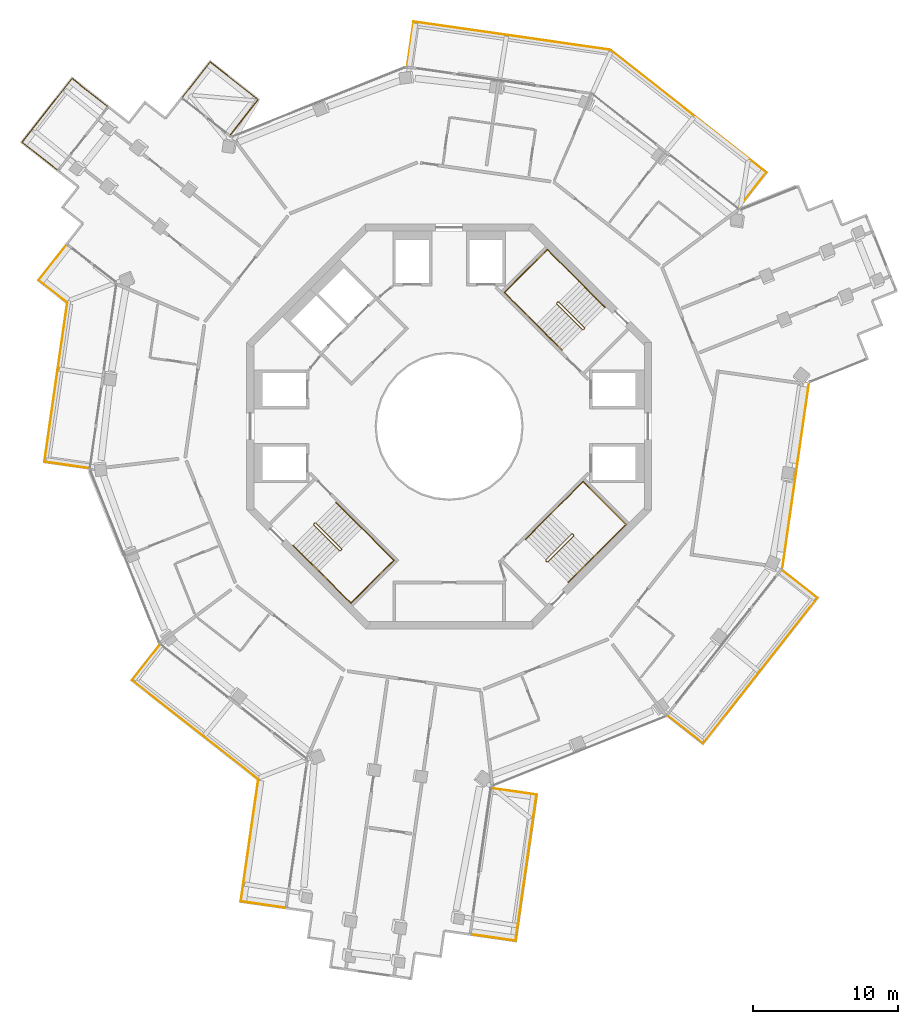
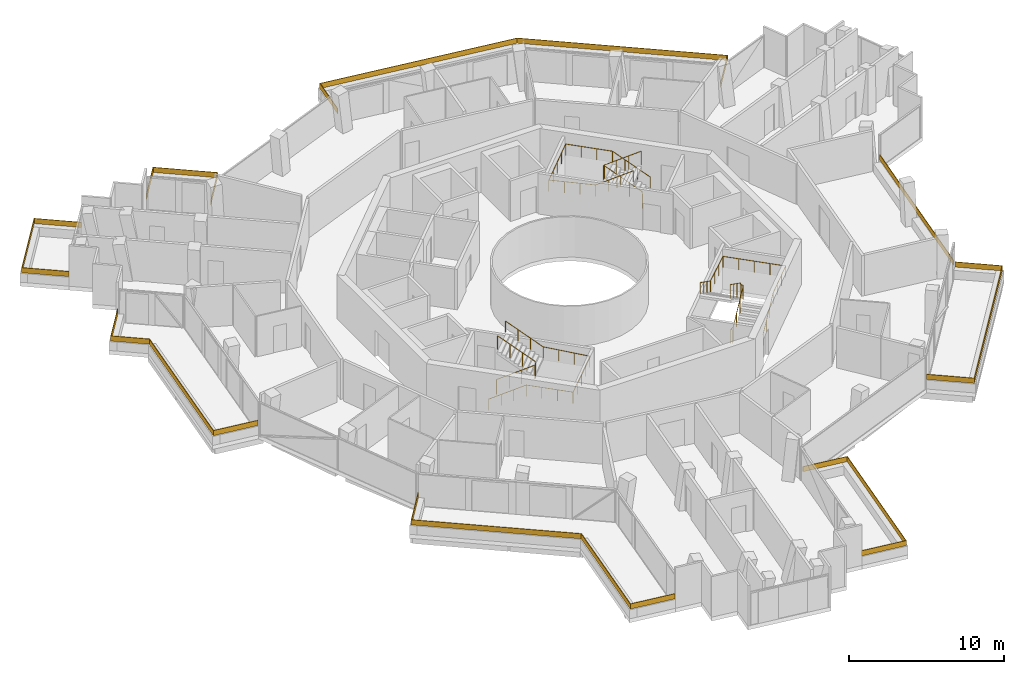
# One storey, part 23 of 23: 14 railings.
"""IFC4 building model written with IfcOpenShell, lengths in metres."""

from ifc_helpers import new_model, si_unit, direction, frame, origin, origin_2d, place, context, subcontext, project, spatial, polyline, rectangle, circle, outline, extrude, material, layer, layer_set, type_object, element, save


model = new_model("IFC4")

# Units and contexts
model_context = context("Model", 3, precision=1e-05, world=origin(), true_north=direction((0.0, 1.0)))
body_context = subcontext(model_context, "Body", "Model", "MODEL_VIEW")
ifc_project = project(units=[si_unit("LENGTHUNIT", "METRE"), si_unit("AREAUNIT", "SQUARE_METRE"), si_unit("VOLUMEUNIT", "CUBIC_METRE"), si_unit("PLANEANGLEUNIT", "RADIAN"), si_unit("MASSUNIT", "GRAM", prefix="KILO")], contexts=[model_context])

# Site, building, storey
site_placement = place(None, origin())
site = spatial("IfcSite", under=ifc_project, at=site_placement, CompositionType="ELEMENT")
building_placement = place(site_placement, origin())
building = spatial("IfcBuilding", under=site, at=building_placement, Name="Verdalira Terraces Hotel", CompositionType="ELEMENT")
storey_placement = place(building_placement, frame((0.0, 0.0, 244.5)))
storey = spatial("IfcBuildingStorey", under=building, at=storey_placement, Name="L60", CompositionType="ELEMENT", Elevation=244.5)

# Railings
ifc_material_1 = material(Name="Laminated glass", Category="glass")
ifc_layer = layer(ifc_material_1, 0.0400390625)
ifc_layer_set = layer_set([ifc_layer], Name="Balcony glass guard 400")
railing_type_1 = type_object("IfcRailingType", Name="Balcony glass guard 400", PredefinedType="GUARDRAIL", material=ifc_layer_set)
railing_1_placement = place(storey_placement, frame((0.0, 0.0, 0.699951)))
element("IfcRailing", 1, at=railing_1_placement, inside=storey, type_object=railing_type_1, Name="Balcony glass guard", PredefinedType="GUARDRAIL", context=body_context, shape_type="SweptSolid", body=[
    extrude(outline(polyline([(-26.076904, 24.026611), (-29.512207, 19.655029), (-27.091309, 17.752686), (-27.115967, 17.721191), (-29.568359, 19.648193), (-26.08374, 24.082764), (-23.631348, 22.155762), (-23.656006, 22.124268), (-26.076904, 24.026611)])), origin(), (0.0, 0.0, 1.0), 0.400146),
])
railing_2_placement = place(storey_placement, frame((0.0, 0.0, 0.699951)))
element("IfcRailing", 2, at=railing_2_placement, inside=storey, type_object=railing_type_1, Name="Balcony glass guard", PredefinedType="GUARDRAIL", context=body_context, shape_type="SweptSolid", body=[
    extrude(outline(polyline([(-28.366943, 10.106689), (-26.391357, 8.554199), (-27.967041, -2.435059), (-24.919189, -2.87207), (-24.925049, -2.911621), (-28.012451, -2.468994), (-26.434326, 8.537109), (-28.423096, 10.100098), (-26.496094, 12.55249), (-26.4646, 12.527832), (-28.366943, 10.106689)])), origin(), (0.0, 0.0, 1.0), 0.400146),
])
railing_3_placement = place(storey_placement, frame((0.0, 0.0, 0.699951)))
element("IfcRailing", 3, at=railing_3_placement, inside=storey, type_object=railing_type_1, Name="Balcony glass guard", PredefinedType="GUARDRAIL", context=body_context, shape_type="SweptSolid", body=[
    extrude(outline(polyline([(-21.907715, -17.553955), (-13.178467, -24.413086), (-14.386963, -32.8396), (-11.339111, -33.276611), (-11.344727, -33.316162), (-14.432129, -32.873535), (-13.221436, -24.43042), (-21.963867, -17.560547), (-20.036865, -15.108154), (-20.005371, -15.132812), (-21.907715, -17.553955)])), origin(), (0.0, 0.0, 1.0), 0.400146),
])
railing_4_placement = place(storey_placement, frame((0.0, 0.0, 0.699951)))
element("IfcRailing", 4, at=railing_4_placement, inside=storey, type_object=railing_type_1, Name="Balcony glass guard", PredefinedType="GUARDRAIL", context=body_context, shape_type="SweptSolid", body=[
    extrude(outline(polyline([(4.579102, -35.559082), (6.022705, -25.491211), (2.974854, -25.054199), (2.980713, -25.014648), (6.068115, -25.457275), (4.613037, -35.604492), (1.525635, -35.161621), (1.53125, -35.12207), (4.579102, -35.559082)])), origin(), (0.0, 0.0, 1.0), 0.400146),
])
railing_5_placement = place(storey_placement, frame((0.0, 0.0, 0.699951)))
element("IfcRailing", 5, at=railing_5_placement, inside=storey, type_object=railing_type_1, Name="Balcony glass guard", PredefinedType="GUARDRAIL", context=body_context, shape_type="SweptSolid", body=[
    extrude(outline(polyline([(17.553955, -21.907715), (25.437744, -11.874756), (23.016846, -9.972412), (23.041504, -9.940918), (25.493896, -11.86792), (17.560547, -21.963867), (15.108154, -20.036865), (15.132812, -20.005371), (17.553955, -21.907715)])), origin(), (0.0, 0.0, 1.0), 0.400146),
])
railing_6_placement = place(storey_placement, frame((0.0, 0.0, 0.699951)))
element("IfcRailing", 6, at=railing_6_placement, inside=storey, type_object=railing_type_1, Name="Balcony glass guard", PredefinedType="GUARDRAIL", context=body_context, shape_type="SweptSolid", body=[
    extrude(outline(polyline([(21.907715, 17.553955), (11.131348, 26.021729), (-2.435059, 27.967041), (-2.87207, 24.919189), (-2.911621, 24.925049), (-2.468994, 28.012451), (11.147705, 26.059814), (21.963867, 17.560547), (20.036865, 15.108154), (20.005371, 15.132812), (21.907715, 17.553955)])), origin(), (0.0, 0.0, 1.0), 0.400146),
])
railing_7_placement = place(storey_placement, frame((0.0, 0.0, 0.699951)))
element("IfcRailing", 7, at=railing_7_placement, inside=storey, type_object=railing_type_1, Name="Balcony glass guard", PredefinedType="GUARDRAIL", context=body_context, shape_type="SweptSolid", body=[
    extrude(outline(polyline([(-13.249268, 22.594971), (-16.528809, 25.172119), (-18.431152, 22.750977), (-18.462646, 22.775879), (-16.535645, 25.228271), (-13.193115, 22.601807), (-15.120361, 20.149414), (-15.151611, 20.174072), (-13.249268, 22.594971)])), origin(), (0.0, 0.0, 1.0), 0.400146),
])
railing_8_placement = place(storey_placement, frame((23.963135, -3.436035, 0.699951), z_axis=(0.0, 0.0, 1.0), x_axis=(0.141937905, 0.989875563, 0.0)))
element("IfcRailing", 8, at=railing_8_placement, inside=storey, type_object=railing_type_1, Name="Loggia glass guard", PredefinedType="GUARDRAIL", context=body_context, shape_type="SweptSolid", body=[
    extrude(rectangle(XDim=12.840088, YDim=0.040039, at=origin_2d()), origin(), (0.0, 0.0, 1.0), 0.399902),
])
ifc_material_2 = material(Name="Stainless steel", Category="steel")
railing_type_2 = type_object("IfcRailingType", Name="Stair guard 1100", PredefinedType="GUARDRAIL", material=ifc_material_2)
railing_9_placement = place(storey_placement, frame((9.369141, 6.75293, 0.0)))
element("IfcRailing", 9, at=railing_9_placement, inside=storey, type_object=railing_type_2, Name="L60 ST1 stair guard 1", PredefinedType="GUARDRAIL", context=body_context, shape_type="SweptSolid", body=[
    extrude(circle(Radius=0.023926, at=origin_2d()), frame((0.0, 0.0, 1.076172), z_axis=(-0.707106781, -0.707106781, 0.0), x_axis=(0.707106781, -0.707106781, 0.0)), (0.0, 0.0, 1.0), 0.100098),
    extrude(circle(Radius=0.023926, at=origin_2d()), frame((-0.070801, -0.070801, 1.076172), z_axis=(0.300162975, 0.599290904, 0.742127078), x_axis=(-0.894118129, 0.447831187, 0.0)), (0.0, 0.0, 1.0), 0.23584),
    extrude(circle(Radius=0.023926, at=origin_2d()), frame((0.0, 0.070557, 1.250977), z_axis=(-0.599637504, 0.599637504, 0.52997144), x_axis=(-0.707106781, -0.707106781, 0.0)), (0.0, 0.0, 1.0), 2.97168),
    extrude(circle(Radius=0.023926, at=origin_2d()), frame((-1.781982, 1.852539, 2.826172), z_axis=(-1.0, 0.0, 0.0), x_axis=(0.0, -1.0, 0.0)), (0.0, 0.0, 1.0), 0.070557),
    extrude(circle(Radius=0.023926, at=origin_2d()), frame((-1.852539, 1.852539, 2.826172), z_axis=(-0.707106781, -0.707106781, 0.0), x_axis=(0.707106781, -0.707106781, 0.0)), (0.0, 0.0, 1.0), 0.100098),
    extrude(circle(Radius=0.023926, at=origin_2d()), frame((-1.92334, 1.781738, 2.826172), z_axis=(0.0, -0.373842709, 0.927492118), x_axis=(1.0, 0.0, 0.0)), (0.0, 0.0, 1.0), 0.188721),
    extrude(circle(Radius=0.023926, at=origin_2d()), frame((-1.92334, 1.711182, 3.000977), z_axis=(0.599637504, -0.599637504, 0.52997144), x_axis=(0.707106781, 0.707106781, 0.0)), (0.0, 0.0, 1.0), 2.97168),
    extrude(circle(Radius=0.020996, at=origin_2d()), origin(), (0.0, 0.0, 1.0), 1.052002),
    extrude(circle(Radius=0.020996, at=origin_2d()), frame((-0.070801, -0.070801, 0.0)), (0.0, 0.0, 1.0), 1.052002),
    extrude(circle(Radius=0.020996, at=origin_2d()), frame((0.0, 0.070557, 0.175049)), (0.0, 0.0, 1.0), 1.052002),
    extrude(circle(Radius=0.020996, at=origin_2d()), frame((-0.593994, 0.664551, 0.699951)), (0.0, 0.0, 1.0), 1.052002),
    extrude(circle(Radius=0.020996, at=origin_2d()), frame((-1.187988, 1.258545, 1.225098)), (0.0, 0.0, 1.0), 1.052002),
    extrude(circle(Radius=0.020996, at=origin_2d()), frame((-1.781982, 1.852539, 1.75)), (0.0, 0.0, 1.0), 1.052002),
    extrude(circle(Radius=0.020996, at=origin_2d()), frame((-1.852539, 1.852539, 1.75)), (0.0, 0.0, 1.0), 1.052002),
    extrude(circle(Radius=0.020996, at=origin_2d()), frame((-1.92334, 1.781738, 1.75)), (0.0, 0.0, 1.0), 1.052002),
    extrude(circle(Radius=0.020996, at=origin_2d()), frame((-1.92334, 1.711182, 1.925049)), (0.0, 0.0, 1.0), 1.052002),
    extrude(circle(Radius=0.020996, at=origin_2d()), frame((-1.329346, 1.117188, 2.449951)), (0.0, 0.0, 1.0), 1.052002),
    extrude(circle(Radius=0.020996, at=origin_2d()), frame((-0.735352, 0.523193, 2.975098)), (0.0, 0.0, 1.0), 1.052002),
    extrude(circle(Radius=0.020996, at=origin_2d()), frame((-0.141357, -0.070801, 3.5)), (0.0, 0.0, 1.0), 1.052002),
])
railing_10_placement = place(storey_placement, frame((-9.369141, -6.75293, 0.0)))
element("IfcRailing", 10, at=railing_10_placement, inside=storey, type_object=railing_type_2, Name="L60 ST2 stair guard 1", PredefinedType="GUARDRAIL", context=body_context, shape_type="SweptSolid", body=[
    extrude(circle(Radius=0.023926, at=origin_2d()), frame((0.0, 0.0, 1.076172), z_axis=(0.707106781, 0.707106781, 0.0), x_axis=(-0.707106781, 0.707106781, 0.0)), (0.0, 0.0, 1.0), 0.100098),
    extrude(circle(Radius=0.023926, at=origin_2d()), frame((0.070801, 0.070801, 1.076172), z_axis=(-0.300162975, -0.599290904, 0.742127078), x_axis=(0.894118129, -0.447831187, 0.0)), (0.0, 0.0, 1.0), 0.23584),
    extrude(circle(Radius=0.023926, at=origin_2d()), frame((0.0, -0.070557, 1.250977), z_axis=(0.599637504, -0.599637504, 0.52997144), x_axis=(0.707106781, 0.707106781, 0.0)), (0.0, 0.0, 1.0), 2.97168),
    extrude(circle(Radius=0.023926, at=origin_2d()), frame((1.781982, -1.852539, 2.826172), z_axis=(1.0, 0.0, 0.0), x_axis=(0.0, 1.0, 0.0)), (0.0, 0.0, 1.0), 0.070557),
    extrude(circle(Radius=0.023926, at=origin_2d()), frame((1.852539, -1.852539, 2.826172), z_axis=(0.707106781, 0.707106781, 0.0), x_axis=(-0.707106781, 0.707106781, 0.0)), (0.0, 0.0, 1.0), 0.100098),
    extrude(circle(Radius=0.023926, at=origin_2d()), frame((1.92334, -1.781738, 2.826172), z_axis=(0.0, 0.373842709, 0.927492118), x_axis=(-1.0, 0.0, 0.0)), (0.0, 0.0, 1.0), 0.188721),
    extrude(circle(Radius=0.023926, at=origin_2d()), frame((1.92334, -1.711182, 3.000977), z_axis=(-0.599637504, 0.599637504, 0.52997144), x_axis=(-0.707106781, -0.707106781, 0.0)), (0.0, 0.0, 1.0), 2.97168),
    extrude(circle(Radius=0.020996, at=origin_2d()), origin(), (0.0, 0.0, 1.0), 1.052002),
    extrude(circle(Radius=0.020996, at=origin_2d()), frame((0.070801, 0.070801, 0.0)), (0.0, 0.0, 1.0), 1.052002),
    extrude(circle(Radius=0.020996, at=origin_2d()), frame((0.0, -0.070557, 0.175049)), (0.0, 0.0, 1.0), 1.052002),
    extrude(circle(Radius=0.020996, at=origin_2d()), frame((0.593994, -0.664551, 0.699951)), (0.0, 0.0, 1.0), 1.052002),
    extrude(circle(Radius=0.020996, at=origin_2d()), frame((1.187988, -1.258545, 1.225098)), (0.0, 0.0, 1.0), 1.052002),
    extrude(circle(Radius=0.020996, at=origin_2d()), frame((1.781982, -1.852539, 1.75)), (0.0, 0.0, 1.0), 1.052002),
    extrude(circle(Radius=0.020996, at=origin_2d()), frame((1.852539, -1.852539, 1.75)), (0.0, 0.0, 1.0), 1.052002),
    extrude(circle(Radius=0.020996, at=origin_2d()), frame((1.92334, -1.781738, 1.75)), (0.0, 0.0, 1.0), 1.052002),
    extrude(circle(Radius=0.020996, at=origin_2d()), frame((1.92334, -1.711182, 1.925049)), (0.0, 0.0, 1.0), 1.052002),
    extrude(circle(Radius=0.020996, at=origin_2d()), frame((1.329346, -1.117188, 2.449951)), (0.0, 0.0, 1.0), 1.052002),
    extrude(circle(Radius=0.020996, at=origin_2d()), frame((0.735352, -0.523193, 2.975098)), (0.0, 0.0, 1.0), 1.052002),
    extrude(circle(Radius=0.020996, at=origin_2d()), frame((0.141357, 0.070801, 3.5)), (0.0, 0.0, 1.0), 1.052002),
])
railing_11_placement = place(storey_placement, frame((6.75293, -9.369141, 0.0)))
element("IfcRailing", 11, at=railing_11_placement, inside=storey, type_object=railing_type_2, Name="L60 ST3 stair guard 1", PredefinedType="GUARDRAIL", context=body_context, shape_type="SweptSolid", body=[
    extrude(circle(Radius=0.023926, at=origin_2d()), frame((0.0, 0.0, 1.076172), z_axis=(-0.707106781, 0.707106781, 0.0), x_axis=(-0.707106781, -0.707106781, 0.0)), (0.0, 0.0, 1.0), 0.100098),
    extrude(circle(Radius=0.023926, at=origin_2d()), frame((-0.070801, 0.070801, 1.076172), z_axis=(0.599290904, -0.300162975, 0.742127078), x_axis=(0.447831187, 0.894118129, 0.0)), (0.0, 0.0, 1.0), 0.23584),
    extrude(circle(Radius=0.023926, at=origin_2d()), frame((0.070557, 0.0, 1.250977), z_axis=(0.599637504, 0.599637504, 0.52997144), x_axis=(-0.707106781, 0.707106781, 0.0)), (0.0, 0.0, 1.0), 2.97168),
    extrude(circle(Radius=0.023926, at=origin_2d()), frame((1.852539, 1.781982, 2.826172), z_axis=(0.0, 1.0, 0.0), x_axis=(-1.0, 0.0, 0.0)), (0.0, 0.0, 1.0), 0.070557),
    extrude(circle(Radius=0.023926, at=origin_2d()), frame((1.852539, 1.852539, 2.826172), z_axis=(-0.707106781, 0.707106781, 0.0), x_axis=(-0.707106781, -0.707106781, 0.0)), (0.0, 0.0, 1.0), 0.100098),
    extrude(circle(Radius=0.023926, at=origin_2d()), frame((1.781738, 1.92334, 2.826172), z_axis=(-0.373842709, 0.0, 0.927492118), x_axis=(0.0, -1.0, 0.0)), (0.0, 0.0, 1.0), 0.188721),
    extrude(circle(Radius=0.023926, at=origin_2d()), frame((1.711182, 1.92334, 3.000977), z_axis=(-0.599637504, -0.599637504, 0.52997144), x_axis=(0.707106781, -0.707106781, 0.0)), (0.0, 0.0, 1.0), 2.97168),
    extrude(circle(Radius=0.020996, at=origin_2d()), origin(), (0.0, 0.0, 1.0), 1.052002),
    extrude(circle(Radius=0.020996, at=origin_2d()), frame((-0.070801, 0.070801, 0.0)), (0.0, 0.0, 1.0), 1.052002),
    extrude(circle(Radius=0.020996, at=origin_2d()), frame((0.070557, 0.0, 0.175049)), (0.0, 0.0, 1.0), 1.052002),
    extrude(circle(Radius=0.020996, at=origin_2d()), frame((0.664551, 0.593994, 0.699951)), (0.0, 0.0, 1.0), 1.052002),
    extrude(circle(Radius=0.020996, at=origin_2d()), frame((1.258545, 1.187988, 1.225098)), (0.0, 0.0, 1.0), 1.052002),
    extrude(circle(Radius=0.020996, at=origin_2d()), frame((1.852539, 1.781982, 1.75)), (0.0, 0.0, 1.0), 1.052002),
    extrude(circle(Radius=0.020996, at=origin_2d()), frame((1.852539, 1.852539, 1.75)), (0.0, 0.0, 1.0), 1.052002),
    extrude(circle(Radius=0.020996, at=origin_2d()), frame((1.781738, 1.92334, 1.75)), (0.0, 0.0, 1.0), 1.052002),
    extrude(circle(Radius=0.020996, at=origin_2d()), frame((1.711182, 1.92334, 1.925049)), (0.0, 0.0, 1.0), 1.052002),
    extrude(circle(Radius=0.020996, at=origin_2d()), frame((1.117188, 1.329346, 2.449951)), (0.0, 0.0, 1.0), 1.052002),
    extrude(circle(Radius=0.020996, at=origin_2d()), frame((0.523193, 0.735352, 2.975098)), (0.0, 0.0, 1.0), 1.052002),
    extrude(circle(Radius=0.020996, at=origin_2d()), frame((-0.070801, 0.141357, 3.5)), (0.0, 0.0, 1.0), 1.052002),
])
ifc_material_3 = material(Name="Stainless steel", Category="steel")
railing_type_3 = type_object("IfcRailingType", Name="Stair handrail 900", PredefinedType="HANDRAIL", material=ifc_material_3)
railing_12_placement = place(storey_placement, frame((10.783447, 8.237793, 0.175049)))
element("IfcRailing", 12, at=railing_12_placement, inside=storey, type_object=railing_type_3, Name="L60 ST1 stair handrail 1", PredefinedType="HANDRAIL", context=body_context, shape_type="SweptSolid", body=[
    extrude(circle(Radius=0.023926, at=origin_2d()), frame((0.0, 0.0, 0.875977), z_axis=(-0.599637504, 0.599637504, 0.52997144), x_axis=(-0.707106781, -0.707106781, 0.0)), (0.0, 0.0, 1.0), 2.97168),
    extrude(circle(Radius=0.023926, at=origin_2d()), frame((-1.781982, 1.781982, 2.450684), z_axis=(-0.707106781, 0.707106781, 0.0), x_axis=(-0.707106781, -0.707106781, 0.0)), (0.0, 0.0, 1.0), 3.129883),
    extrude(circle(Radius=0.023926, at=origin_2d()), frame((-3.995117, 3.995117, 2.450684), z_axis=(-0.707135845, -0.707077716, 0.0), x_axis=(0.707077716, -0.707135845, 0.0)), (0.0, 0.0, 1.0), 4.199951),
    extrude(circle(Radius=0.023926, at=origin_2d()), frame((-6.965088, 1.025391, 2.450684), z_axis=(0.706003682, -0.706003682, 0.0558355), x_axis=(0.707106781, 0.707106781, 0.0)), (0.0, 0.0, 1.0), 3.13501),
    extrude(circle(Radius=0.023926, at=origin_2d()), frame((-4.751709, -1.187988, 2.625977), z_axis=(0.599614426, -0.599614426, 0.530023659), x_axis=(0.707106781, 0.707106781, 0.0)), (0.0, 0.0, 1.0), 2.971436),
    extrude(circle(Radius=0.020996, at=origin_2d()), origin(), (0.0, 0.0, 1.0), 0.851807),
    extrude(circle(Radius=0.020996, at=origin_2d()), frame((-0.593994, 0.593994, 0.524902)), (0.0, 0.0, 1.0), 0.851807),
    extrude(circle(Radius=0.020996, at=origin_2d()), frame((-1.187988, 1.187988, 1.050049)), (0.0, 0.0, 1.0), 0.851807),
    extrude(circle(Radius=0.020996, at=origin_2d()), frame((-1.781982, 1.781982, 1.574951)), (0.0, 0.0, 1.0), 0.851807),
    extrude(circle(Radius=0.020996, at=origin_2d()), frame((-2.519775, 2.519775, 1.574951)), (0.0, 0.0, 1.0), 0.851807),
    extrude(circle(Radius=0.020996, at=origin_2d()), frame((-3.257324, 3.257324, 1.574951)), (0.0, 0.0, 1.0), 0.851807),
    extrude(circle(Radius=0.020996, at=origin_2d()), frame((-3.995117, 3.995117, 1.574951)), (0.0, 0.0, 1.0), 0.851807),
    extrude(circle(Radius=0.020996, at=origin_2d()), frame((-4.737549, 3.252686, 1.574951)), (0.0, 0.0, 1.0), 0.851807),
    extrude(circle(Radius=0.020996, at=origin_2d()), frame((-5.47998, 2.510254, 1.574951)), (0.0, 0.0, 1.0), 0.851807),
    extrude(circle(Radius=0.020996, at=origin_2d()), frame((-6.222656, 1.767822, 1.574951)), (0.0, 0.0, 1.0), 0.851807),
    extrude(circle(Radius=0.020996, at=origin_2d()), frame((-6.965088, 1.025391, 1.574951)), (0.0, 0.0, 1.0), 0.851807),
    extrude(circle(Radius=0.020996, at=origin_2d()), frame((-6.227295, 0.287598, 1.633301)), (0.0, 0.0, 1.0), 0.851807),
    extrude(circle(Radius=0.020996, at=origin_2d()), frame((-5.489502, -0.450195, 1.69165)), (0.0, 0.0, 1.0), 0.851807),
    extrude(circle(Radius=0.020996, at=origin_2d()), frame((-4.751709, -1.187988, 1.75)), (0.0, 0.0, 1.0), 0.851807),
    extrude(circle(Radius=0.020996, at=origin_2d()), frame((-4.157715, -1.781982, 2.274902)), (0.0, 0.0, 1.0), 0.851807),
    extrude(circle(Radius=0.020996, at=origin_2d()), frame((-3.563965, -2.375732, 2.800049)), (0.0, 0.0, 1.0), 0.851807),
    extrude(circle(Radius=0.020996, at=origin_2d()), frame((-2.969971, -2.969727, 3.324951)), (0.0, 0.0, 1.0), 0.851807),
])
railing_13_placement = place(storey_placement, frame((-10.783447, -8.237793, 0.175049)))
element("IfcRailing", 13, at=railing_13_placement, inside=storey, type_object=railing_type_3, Name="L60 ST2 stair handrail 1", PredefinedType="HANDRAIL", context=body_context, shape_type="SweptSolid", body=[
    extrude(circle(Radius=0.023926, at=origin_2d()), frame((0.0, 0.0, 0.875977), z_axis=(0.599637504, -0.599637504, 0.52997144), x_axis=(0.707106781, 0.707106781, 0.0)), (0.0, 0.0, 1.0), 2.97168),
    extrude(circle(Radius=0.023926, at=origin_2d()), frame((1.781982, -1.781982, 2.450684), z_axis=(0.707106781, -0.707106781, 0.0), x_axis=(0.707106781, 0.707106781, 0.0)), (0.0, 0.0, 1.0), 3.129883),
    extrude(circle(Radius=0.023926, at=origin_2d()), frame((3.995117, -3.995117, 2.450684), z_axis=(0.707135845, 0.707077716, 0.0), x_axis=(-0.707077716, 0.707135845, 0.0)), (0.0, 0.0, 1.0), 4.199951),
    extrude(circle(Radius=0.023926, at=origin_2d()), frame((6.965088, -1.025391, 2.450684), z_axis=(-0.706003682, 0.706003682, 0.0558355), x_axis=(-0.707106781, -0.707106781, 0.0)), (0.0, 0.0, 1.0), 3.13501),
    extrude(circle(Radius=0.023926, at=origin_2d()), frame((4.751709, 1.187988, 2.625977), z_axis=(-0.599614426, 0.599614426, 0.530023659), x_axis=(-0.707106781, -0.707106781, 0.0)), (0.0, 0.0, 1.0), 2.971436),
    extrude(circle(Radius=0.020996, at=origin_2d()), origin(), (0.0, 0.0, 1.0), 0.851807),
    extrude(circle(Radius=0.020996, at=origin_2d()), frame((0.593994, -0.593994, 0.524902)), (0.0, 0.0, 1.0), 0.851807),
    extrude(circle(Radius=0.020996, at=origin_2d()), frame((1.187988, -1.187988, 1.050049)), (0.0, 0.0, 1.0), 0.851807),
    extrude(circle(Radius=0.020996, at=origin_2d()), frame((1.781982, -1.781982, 1.574951)), (0.0, 0.0, 1.0), 0.851807),
    extrude(circle(Radius=0.020996, at=origin_2d()), frame((2.519775, -2.519775, 1.574951)), (0.0, 0.0, 1.0), 0.851807),
    extrude(circle(Radius=0.020996, at=origin_2d()), frame((3.257324, -3.257324, 1.574951)), (0.0, 0.0, 1.0), 0.851807),
    extrude(circle(Radius=0.020996, at=origin_2d()), frame((3.995117, -3.995117, 1.574951)), (0.0, 0.0, 1.0), 0.851807),
    extrude(circle(Radius=0.020996, at=origin_2d()), frame((4.737549, -3.252686, 1.574951)), (0.0, 0.0, 1.0), 0.851807),
    extrude(circle(Radius=0.020996, at=origin_2d()), frame((5.47998, -2.510254, 1.574951)), (0.0, 0.0, 1.0), 0.851807),
    extrude(circle(Radius=0.020996, at=origin_2d()), frame((6.222656, -1.767822, 1.574951)), (0.0, 0.0, 1.0), 0.851807),
    extrude(circle(Radius=0.020996, at=origin_2d()), frame((6.965088, -1.025391, 1.574951)), (0.0, 0.0, 1.0), 0.851807),
    extrude(circle(Radius=0.020996, at=origin_2d()), frame((6.227295, -0.287598, 1.633301)), (0.0, 0.0, 1.0), 0.851807),
    extrude(circle(Radius=0.020996, at=origin_2d()), frame((5.489502, 0.450195, 1.69165)), (0.0, 0.0, 1.0), 0.851807),
    extrude(circle(Radius=0.020996, at=origin_2d()), frame((4.751709, 1.187988, 1.75)), (0.0, 0.0, 1.0), 0.851807),
    extrude(circle(Radius=0.020996, at=origin_2d()), frame((4.157715, 1.781982, 2.274902)), (0.0, 0.0, 1.0), 0.851807),
    extrude(circle(Radius=0.020996, at=origin_2d()), frame((3.563965, 2.375732, 2.800049)), (0.0, 0.0, 1.0), 0.851807),
    extrude(circle(Radius=0.020996, at=origin_2d()), frame((2.969971, 2.969727, 3.324951)), (0.0, 0.0, 1.0), 0.851807),
])
railing_14_placement = place(storey_placement, frame((8.237793, -10.783447, 0.175049)))
element("IfcRailing", 14, at=railing_14_placement, inside=storey, type_object=railing_type_3, Name="L60 ST3 stair handrail 1", PredefinedType="HANDRAIL", context=body_context, shape_type="SweptSolid", body=[
    extrude(circle(Radius=0.023926, at=origin_2d()), frame((0.0, 0.0, 0.875977), z_axis=(0.599637504, 0.599637504, 0.52997144), x_axis=(-0.707106781, 0.707106781, 0.0)), (0.0, 0.0, 1.0), 2.97168),
    extrude(circle(Radius=0.023926, at=origin_2d()), frame((1.781982, 1.781982, 2.450684), z_axis=(0.707106781, 0.707106781, 0.0), x_axis=(-0.707106781, 0.707106781, 0.0)), (0.0, 0.0, 1.0), 3.129883),
    extrude(circle(Radius=0.023926, at=origin_2d()), frame((3.995117, 3.995117, 2.450684), z_axis=(-0.707077716, 0.707135845, 0.0), x_axis=(-0.707135845, -0.707077716, 0.0)), (0.0, 0.0, 1.0), 4.199951),
    extrude(circle(Radius=0.023926, at=origin_2d()), frame((1.025391, 6.965088, 2.450684), z_axis=(-0.706003682, -0.706003682, 0.0558355), x_axis=(0.707106781, -0.707106781, 0.0)), (0.0, 0.0, 1.0), 3.13501),
    extrude(circle(Radius=0.023926, at=origin_2d()), frame((-1.187988, 4.751709, 2.625977), z_axis=(-0.599614426, -0.599614426, 0.530023659), x_axis=(0.707106781, -0.707106781, 0.0)), (0.0, 0.0, 1.0), 2.971436),
    extrude(circle(Radius=0.020996, at=origin_2d()), origin(), (0.0, 0.0, 1.0), 0.851807),
    extrude(circle(Radius=0.020996, at=origin_2d()), frame((0.593994, 0.593994, 0.524902)), (0.0, 0.0, 1.0), 0.851807),
    extrude(circle(Radius=0.020996, at=origin_2d()), frame((1.187988, 1.187988, 1.050049)), (0.0, 0.0, 1.0), 0.851807),
    extrude(circle(Radius=0.020996, at=origin_2d()), frame((1.781982, 1.781982, 1.574951)), (0.0, 0.0, 1.0), 0.851807),
    extrude(circle(Radius=0.020996, at=origin_2d()), frame((2.519775, 2.519775, 1.574951)), (0.0, 0.0, 1.0), 0.851807),
    extrude(circle(Radius=0.020996, at=origin_2d()), frame((3.257324, 3.257324, 1.574951)), (0.0, 0.0, 1.0), 0.851807),
    extrude(circle(Radius=0.020996, at=origin_2d()), frame((3.995117, 3.995117, 1.574951)), (0.0, 0.0, 1.0), 0.851807),
    extrude(circle(Radius=0.020996, at=origin_2d()), frame((3.252686, 4.737549, 1.574951)), (0.0, 0.0, 1.0), 0.851807),
    extrude(circle(Radius=0.020996, at=origin_2d()), frame((2.510254, 5.47998, 1.574951)), (0.0, 0.0, 1.0), 0.851807),
    extrude(circle(Radius=0.020996, at=origin_2d()), frame((1.767822, 6.222656, 1.574951)), (0.0, 0.0, 1.0), 0.851807),
    extrude(circle(Radius=0.020996, at=origin_2d()), frame((1.025391, 6.965088, 1.574951)), (0.0, 0.0, 1.0), 0.851807),
    extrude(circle(Radius=0.020996, at=origin_2d()), frame((0.287598, 6.227295, 1.633301)), (0.0, 0.0, 1.0), 0.851807),
    extrude(circle(Radius=0.020996, at=origin_2d()), frame((-0.450195, 5.489502, 1.69165)), (0.0, 0.0, 1.0), 0.851807),
    extrude(circle(Radius=0.020996, at=origin_2d()), frame((-1.187988, 4.751709, 1.75)), (0.0, 0.0, 1.0), 0.851807),
    extrude(circle(Radius=0.020996, at=origin_2d()), frame((-1.781982, 4.157715, 2.274902)), (0.0, 0.0, 1.0), 0.851807),
    extrude(circle(Radius=0.020996, at=origin_2d()), frame((-2.375732, 3.563965, 2.800049)), (0.0, 0.0, 1.0), 0.851807),
    extrude(circle(Radius=0.020996, at=origin_2d()), frame((-2.969727, 2.969971, 3.324951)), (0.0, 0.0, 1.0), 0.851807),
])

save(model, "model.ifc")
